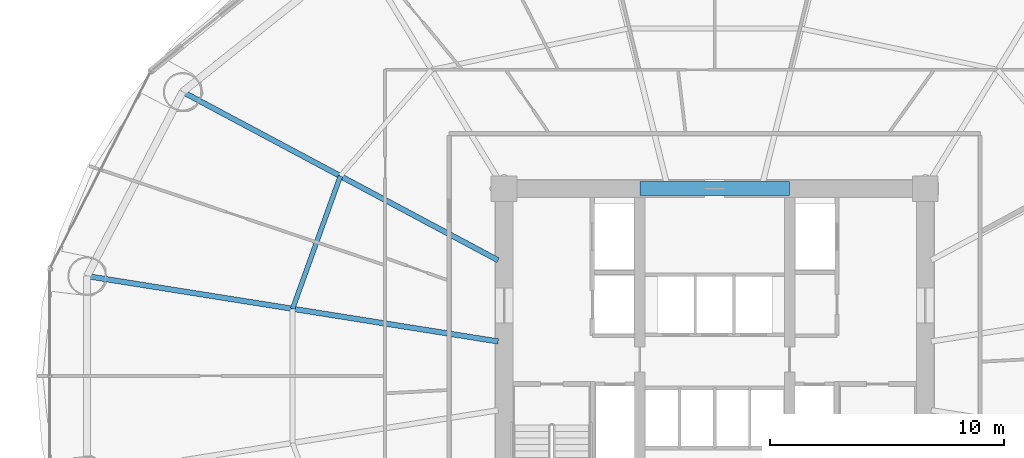
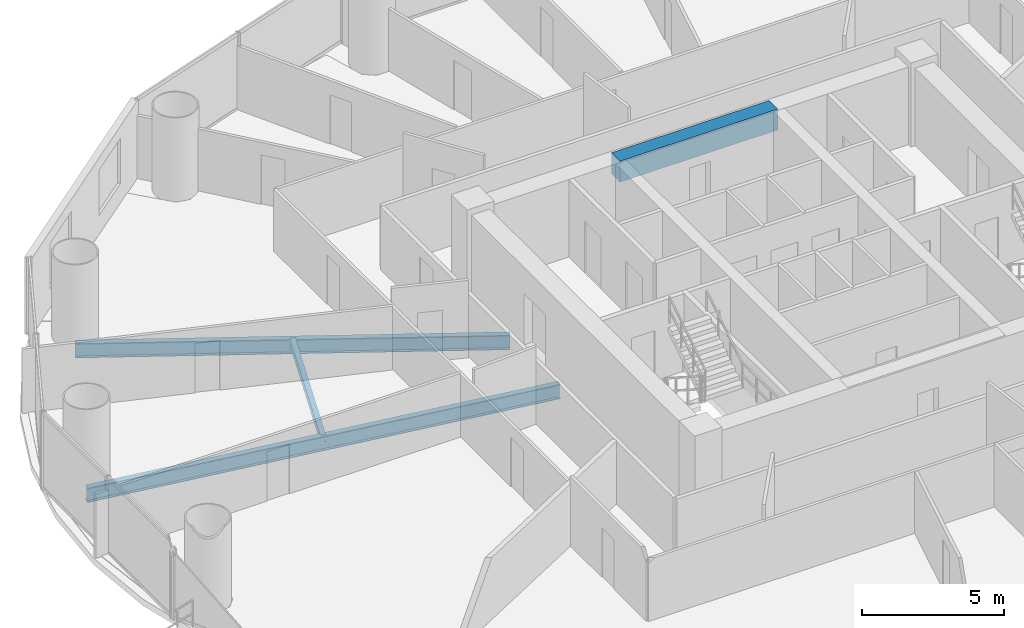
# One storey, part 10 of 30: 4 beams.
"""IFC4 building model written with IfcOpenShell, lengths in metres."""

from ifc_helpers import new_model, si_unit, direction, frame, origin, origin_2d, place, context, subcontext, project, spatial, rectangle, i_section, extrude, material, material_profile, profile_set, type_object, element, save


model = new_model("IFC4")

# Units and contexts
model_context = context("Model", 3, precision=1e-05, world=origin(), true_north=direction((-0.2419218956, 0.970295726276)))
body_context = subcontext(model_context, "Body", "Model", "MODEL_VIEW")
ifc_project = project(units=[si_unit("LENGTHUNIT", "METRE"), si_unit("AREAUNIT", "SQUARE_METRE"), si_unit("VOLUMEUNIT", "CUBIC_METRE"), si_unit("PLANEANGLEUNIT", "RADIAN"), si_unit("MASSUNIT", "GRAM", prefix="KILO")], contexts=[model_context])

# Site, building, storey
site_placement = place(None, origin())
site = spatial("IfcSite", under=ifc_project, at=site_placement, CompositionType="ELEMENT")
building_placement = place(site_placement, origin())
building = spatial("IfcBuilding", under=site, at=building_placement, Name="Cobrevalo Terracotta Tower", CompositionType="ELEMENT")
storey_placement = place(building_placement, frame((0.0, 0.0, 56.39990234375)))
storey = spatial("IfcBuildingStorey", under=building, at=storey_placement, Name="L14", CompositionType="ELEMENT", Elevation=56.39990234375)

# Beams
ifc_material_1 = material(Name="Concrete C60", Category="concrete")
ifc_material_profile_1 = material_profile(ifc_material_1, rectangle(XDim=0.60009765625, YDim=0.89990234375, at=origin_2d()), Name="RC CB 600x900")
ifc_profile_set_1 = profile_set([ifc_material_profile_1], Name="Concrete C60")
beam_type_1 = type_object("IfcBeamType", Name="Structural Beam RC CB 600x900 (Concrete C60)", PredefinedType="BEAM", material=ifc_profile_set_1)
beam_1_placement = place(storey_placement, frame((34.800048828125, 34.800048828125, 2.8701171875), z_axis=(1.0, 0.0, 0.0), x_axis=(0.0, 1.0, 0.0)))
element("IfcBeam", 1, at=beam_1_placement, inside=storey, type_object=beam_type_1, Name="L14 core coupling beam 2", PredefinedType="BEAM", context=body_context, shape_type="SweptSolid", body=[
    extrude(rectangle(XDim=0.60009765625, YDim=0.89990234375, at=origin_2d()), origin(), (0.0, 0.0, 1.0), 6.39990234375),
])
ifc_material_2 = material(Name="Steel S355", Category="steel")
ifc_material_profile_2 = material_profile(ifc_material_2, i_section(OverallWidth=0.22998046875, OverallDepth=0.616943359375, WebThickness=0.01318359375, FlangeThickness=0.022216796875, at=origin_2d()), Name="W 610x140")
ifc_profile_set_2 = profile_set([ifc_material_profile_2], Name="Steel S355")
beam_type_2 = type_object("IfcBeamType", Name="Structural Beam W 610x140 (Steel S355)", PredefinedType="BEAM", material=ifc_profile_set_2)
beam_2_placement = place(storey_placement, frame((15.25927734375, 38.939208984375, -0.58837890625), z_axis=(0.88218223571, -0.470908168329, 0.0), x_axis=(0.470908168329, 0.88218223571, 0.0)))
element("IfcBeam", 2, at=beam_2_placement, inside=storey, type_object=beam_type_2, Name="L14 radial floor girder 07", PredefinedType="BEAM", context=body_context, shape_type="SweptSolid", body=[
    extrude(i_section(OverallWidth=0.22998046875, OverallDepth=0.616943359375, WebThickness=0.01318359375, FlangeThickness=0.022216796875, at=origin_2d()), origin(), (0.0, 0.0, 1.0), 15.286865234375),
])
beam_3_placement = place(storey_placement, frame((11.175537109375, 31.062744140625, -0.58837890625), z_axis=(0.987607924622, -0.156941349628, 0.0), x_axis=(0.156941349628, 0.987607924622, 0.0)))
element("IfcBeam", 3, at=beam_3_placement, inside=storey, type_object=beam_type_2, Name="L14 radial floor girder 08", PredefinedType="BEAM", context=body_context, shape_type="SweptSolid", body=[
    extrude(i_section(OverallWidth=0.22998046875, OverallDepth=0.616943359375, WebThickness=0.01318359375, FlangeThickness=0.022216796875, at=origin_2d()), origin(), (0.0, 0.0, 1.0), 17.7900390625),
])
ifc_material_profile_3 = material_profile(ifc_material_2, i_section(OverallWidth=0.2041015625, OverallDepth=0.305908203125, WebThickness=0.008544921875, FlangeThickness=0.0146484375, at=origin_2d()), Name="W 310x67")
ifc_profile_set_3 = profile_set([ifc_material_profile_3], Name="Steel S355")
beam_type_3 = type_object("IfcBeamType", Name="Structural Joist W 310x67 (Steel S355)", PredefinedType="JOIST", material=ifc_profile_set_3)
beam_4_placement = place(storey_placement, frame((22.002197265625, 35.33984375, -0.432861328125), z_axis=(-0.338672151116, -0.940904444701, 0.0), x_axis=(0.940904444701, -0.338672151116, 0.0)))
element("IfcBeam", 4, at=beam_4_placement, inside=storey, type_object=beam_type_3, Name="L14 circumferential secondary floor joist 07", PredefinedType="JOIST", context=body_context, shape_type="SweptSolid", body=[
    extrude(i_section(OverallWidth=0.2041015625, OverallDepth=0.305908203125, WebThickness=0.008544921875, FlangeThickness=0.0146484375, at=origin_2d()), origin(), (0.0, 0.0, 1.0), 6.029296875),
])

save(model, "model.ifc")
